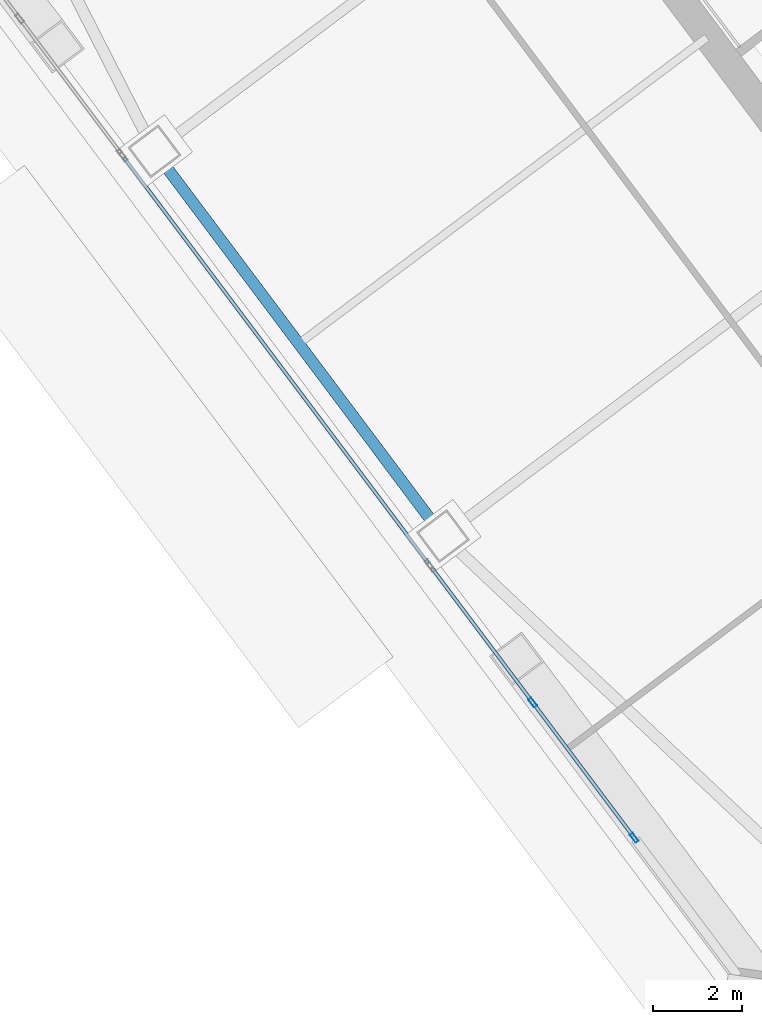
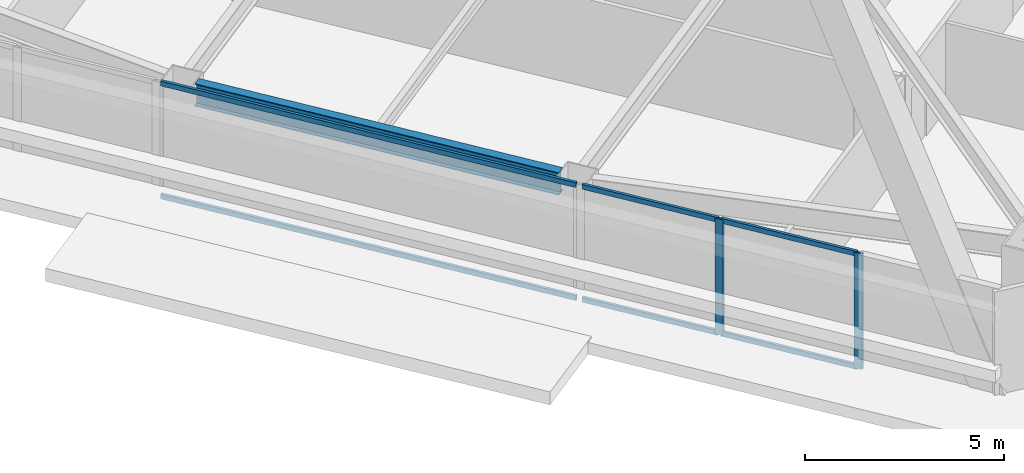
# One storey, part 31 of 67: 8 members, 1 beam, 2 elements without a shape of their own.
"""IFC4 building model written with IfcOpenShell, lengths in metres."""

from ifc_helpers import new_model, si_unit, direction, frame, origin, origin_2d, place, context, subcontext, project, spatial, hollow_rectangle, i_section, extrude, material, material_profile, profile_set, type_object, element, aggregate, save


model = new_model("IFC4")

# Units and contexts
model_context = context("Model", 3, precision=1e-05, world=origin(), true_north=direction((0.0, 1.0)))
body_context = subcontext(model_context, "Body", "Model", "MODEL_VIEW")
ifc_project = project(units=[si_unit("LENGTHUNIT", "METRE"), si_unit("AREAUNIT", "SQUARE_METRE"), si_unit("VOLUMEUNIT", "CUBIC_METRE"), si_unit("PLANEANGLEUNIT", "RADIAN"), si_unit("MASSUNIT", "GRAM", prefix="KILO")], contexts=[model_context])

# Site, building, storey
site_placement = place(None, origin())
site = spatial("IfcSite", under=ifc_project, at=site_placement, CompositionType="ELEMENT")
building_placement = place(site_placement, origin())
building = spatial("IfcBuilding", under=site, at=building_placement, Name="Tashvorn Skyway Center", CompositionType="ELEMENT")
storey_placement = place(building_placement, frame((0.0, 0.0, 67.199951171875)))
storey = spatial("IfcBuildingStorey", under=building, at=storey_placement, Name="L17", CompositionType="ELEMENT", Elevation=67.199951171875)

# Beam
ifc_material_1 = material(Name="Steel ASTM A992 Grade 50", Category="steel")
ifc_material_profile_1 = material_profile(ifc_material_1, i_section(OverallWidth=0.256103515625, OverallDepth=0.693115234375, WebThickness=0.014404296875, FlangeThickness=0.023681640625, at=origin_2d()), Name="W27X114")
ifc_profile_set_1 = profile_set([ifc_material_profile_1], Name="Steel ASTM A992 Grade 50")
beam_type = type_object("IfcBeamType", Name="BM-SPANDREL-W27X114", PredefinedType="SPANDREL", material=ifc_profile_set_1)
beam_placement = place(storey_placement, frame((95.612060546875, 24.43408203125, 3.003662109375), z_axis=(0.599988234018, -0.800008824351, 0.0), x_axis=(0.800008824351, 0.599988234018, 0.0)))
element("IfcBeam", 1, at=beam_placement, inside=storey, type_object=beam_type, Name="Tower 2 L17 Spandrel Beam 11", PredefinedType="SPANDREL", context=body_context, shape_type="SweptSolid", body=[
    extrude(i_section(OverallWidth=0.256103515625, OverallDepth=0.693115234375, WebThickness=0.014404296875, FlangeThickness=0.023681640625, at=origin_2d()), origin(), (0.0, 0.0, 1.0), 9.9599609375),
])

# Curtain wall, members
ifc_material_2 = material(Name="Thermally broken bronze-anodized aluminium 6063-T6", Category="aluminium")
curtain_wall_type = type_object("IfcCurtainWallType", Name="CW-CW-Z2", PredefinedType="NOTDEFINED", material=ifc_material_2)
curtain_wall_1_placement = place(storey_placement, origin())
curtain_wall_1 = element("IfcCurtainWall", 2, at=curtain_wall_1_placement, inside=storey, type_object=curtain_wall_type, Name="Tower 2 L17 West Unitised Curtain Wall Glazing Group 1", PredefinedType="NOTDEFINED")
ifc_material_profile_2 = material_profile(ifc_material_2, hollow_rectangle(XDim=0.080078125, YDim=0.219970703125, WallThickness=0.0048828125, at=origin_2d()), Name="ALU-MULL-80x220")
ifc_profile_set_2 = profile_set([ifc_material_profile_2], Name="Thermally broken bronze-anodized aluminium 6063-T6")
member_type_1 = type_object("IfcMemberType", Name="CWM-CW-Z2", PredefinedType="MULLION", material=ifc_profile_set_2)
member_1_placement = place(storey_placement, frame((106.135986328125, 9.35205078125, 0.0), z_axis=(0.0, 0.0, 1.0), x_axis=(-0.799999999998, -0.600000000002, 0.0)))
member_1 = element("IfcMember", 3, at=member_1_placement, type_object=member_type_1, Name="CW-Z2 mullion 1", PredefinedType="MULLION", context=body_context, shape_type="SweptSolid", body=[
    extrude(hollow_rectangle(XDim=0.080078125, YDim=0.219970703125, WallThickness=0.0048828125, at=origin_2d()), origin(), (0.0, 0.0, 1.0), 3.550048828125),
])
member_2_placement = place(storey_placement, frame((103.85595703125, 12.39208984375, 0.0), z_axis=(0.0, 0.0, 1.0), x_axis=(-0.799999999998, -0.600000000002, 0.0)))
member_2 = element("IfcMember", 4, at=member_2_placement, type_object=member_type_1, Name="CW-Z2 mullion 2", PredefinedType="MULLION", context=body_context, shape_type="SweptSolid", body=[
    extrude(hollow_rectangle(XDim=0.080078125, YDim=0.219970703125, WallThickness=0.0048828125, at=origin_2d()), origin(), (0.0, 0.0, 1.0), 3.550048828125),
])
ifc_material_profile_3 = material_profile(ifc_material_2, hollow_rectangle(XDim=0.080078125, YDim=0.14990234375, WallThickness=0.00439453125, at=origin_2d()), Name="ALU-TRAN-80x150")
ifc_profile_set_3 = profile_set([ifc_material_profile_3], Name="Thermally broken bronze-anodized aluminium 6063-T6")
member_type_2 = type_object("IfcMemberType", Name="CWT-CW-Z2", PredefinedType="USERDEFINED", material=ifc_profile_set_3)
member_3_placement = place(storey_placement, frame((106.112060546875, 9.384033203125, 0.0400390625), z_axis=(-0.6000210002, 0.799984249419, 0.0), x_axis=(-0.799984249419, -0.6000210002, 0.0)))
member_3 = element("IfcMember", 5, at=member_3_placement, type_object=member_type_2, Name="CW-Z2 transom 1.1", ObjectType="TRANSOM", PredefinedType="USERDEFINED", context=body_context, shape_type="SweptSolid", body=[
    extrude(hollow_rectangle(XDim=0.080078125, YDim=0.14990234375, WallThickness=0.00439453125, at=origin_2d()), origin(), (0.0, 0.0, 1.0), 3.72021484375),
])
member_4_placement = place(storey_placement, frame((106.112060546875, 9.384033203125, 3.510009765625), z_axis=(-0.6000210002, 0.799984249419, 0.0), x_axis=(-0.799984249419, -0.6000210002, 0.0)))
member_4 = element("IfcMember", 6, at=member_4_placement, type_object=member_type_2, Name="CW-Z2 transom 1.2", ObjectType="TRANSOM", PredefinedType="USERDEFINED", context=body_context, shape_type="SweptSolid", body=[
    extrude(hollow_rectangle(XDim=0.080078125, YDim=0.14990234375, WallThickness=0.00439453125, at=origin_2d()), origin(), (0.0, 0.0, 1.0), 3.72021484375),
])
member_5_placement = place(storey_placement, frame((103.83203125, 12.424072265625, 0.0400390625), z_axis=(-0.600010501117, 0.799992124055, 0.0), x_axis=(-0.799992124055, -0.600010501117, 0.0)))
member_5 = element("IfcMember", 7, at=member_5_placement, type_object=member_type_2, Name="CW-Z2 transom 2.1", ObjectType="TRANSOM", PredefinedType="USERDEFINED", context=body_context, shape_type="SweptSolid", body=[
    extrude(hollow_rectangle(XDim=0.080078125, YDim=0.14990234375, WallThickness=0.00439453125, at=origin_2d()), origin(), (0.0, 0.0, 1.0), 3.7197265625),
])
member_6_placement = place(storey_placement, frame((103.83203125, 12.424072265625, 3.510009765625), z_axis=(-0.600010501117, 0.799992124055, 0.0), x_axis=(-0.799992124055, -0.600010501117, 0.0)))
member_6 = element("IfcMember", 8, at=member_6_placement, type_object=member_type_2, Name="CW-Z2 transom 2.2", ObjectType="TRANSOM", PredefinedType="USERDEFINED", context=body_context, shape_type="SweptSolid", body=[
    extrude(hollow_rectangle(XDim=0.080078125, YDim=0.14990234375, WallThickness=0.00439453125, at=origin_2d()), origin(), (0.0, 0.0, 1.0), 3.7197265625),
])
aggregate(curtain_wall_1, [member_1, member_2, member_3, member_4, member_5, member_6])

curtain_wall_2_placement = place(storey_placement, origin())
curtain_wall_2 = element("IfcCurtainWall", 9, at=curtain_wall_2_placement, inside=storey, type_object=curtain_wall_type, Name="Tower 2 L17 West Unitised Curtain Wall Glazing Group 2", PredefinedType="NOTDEFINED")
member_7_placement = place(storey_placement, frame((101.50390625, 15.528076171875, 0.0400390625), z_axis=(-0.6, 0.8, 0.0), x_axis=(-0.8, -0.6, 0.0)))
member_7 = element("IfcMember", 10, at=member_7_placement, type_object=member_type_2, Name="CW-Z2 transom 1.1", ObjectType="TRANSOM", PredefinedType="USERDEFINED", context=body_context, shape_type="SweptSolid", body=[
    extrude(hollow_rectangle(XDim=0.080078125, YDim=0.14990234375, WallThickness=0.00439453125, at=origin_2d()), origin(), (0.0, 0.0, 1.0), 11.35986328125),
])
member_8_placement = place(storey_placement, frame((101.50390625, 15.528076171875, 3.510009765625), z_axis=(-0.6, 0.8, 0.0), x_axis=(-0.8, -0.6, 0.0)))
member_8 = element("IfcMember", 11, at=member_8_placement, type_object=member_type_2, Name="CW-Z2 transom 1.2", ObjectType="TRANSOM", PredefinedType="USERDEFINED", context=body_context, shape_type="SweptSolid", body=[
    extrude(hollow_rectangle(XDim=0.080078125, YDim=0.14990234375, WallThickness=0.00439453125, at=origin_2d()), origin(), (0.0, 0.0, 1.0), 11.35986328125),
])
aggregate(curtain_wall_2, [member_7, member_8])

save(model, "model.ifc")
